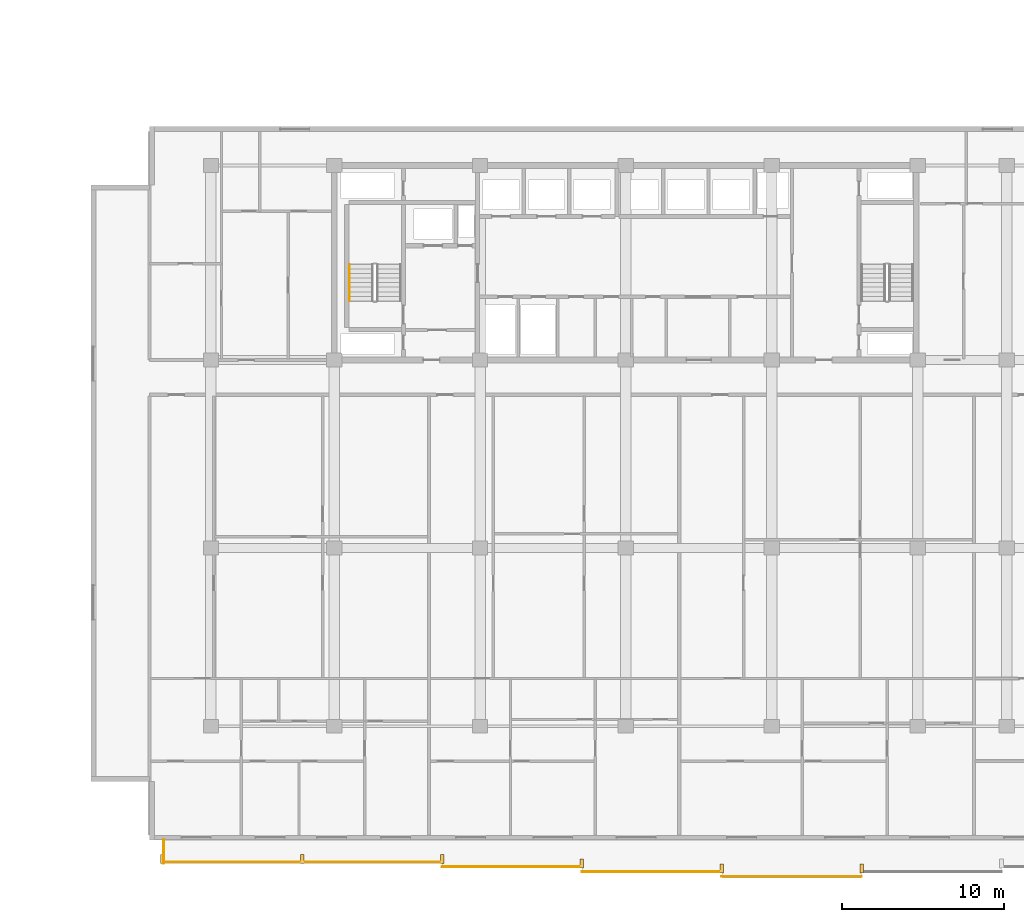
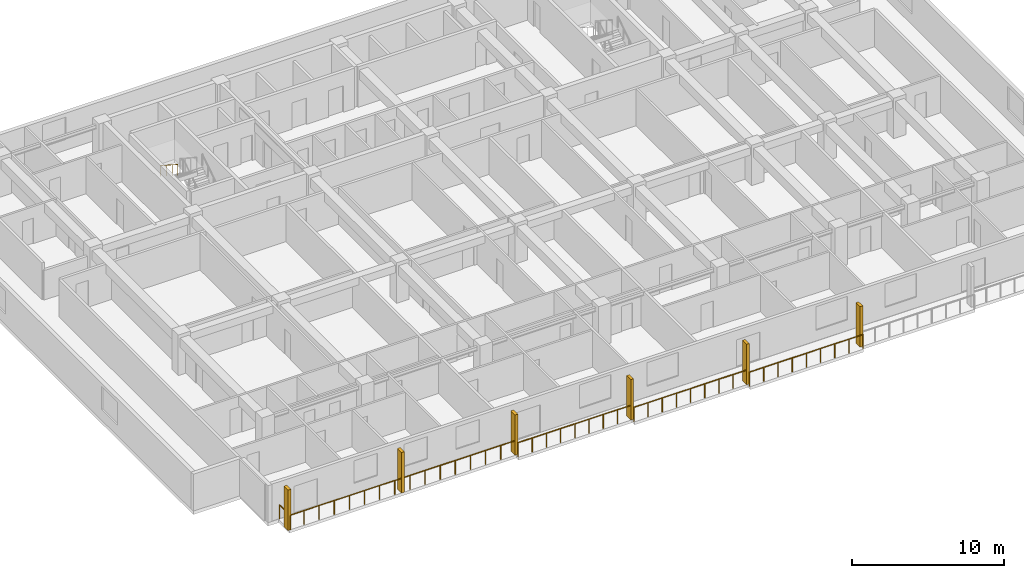
# One storey, part 19 of 23: 6 railings, 6 shading devices.
"""IFC4 building model written with IfcOpenShell, lengths in metres."""

from ifc_helpers import new_model, si_unit, direction, frame, origin, origin_2d, place, context, subcontext, project, spatial, rectangle, circle, extrude, material, type_object, element, save


model = new_model("IFC4")

# Units and contexts
model_context = context("Model", 3, precision=1e-05, world=origin(), true_north=direction((0.0, 1.0)))
body_context = subcontext(model_context, "Body", "Model", "MODEL_VIEW")
ifc_project = project(units=[si_unit("LENGTHUNIT", "METRE"), si_unit("AREAUNIT", "SQUARE_METRE"), si_unit("VOLUMEUNIT", "CUBIC_METRE"), si_unit("PLANEANGLEUNIT", "RADIAN"), si_unit("MASSUNIT", "GRAM", prefix="KILO")], contexts=[model_context])

# Site, building, storey
site_placement = place(None, origin())
site = spatial("IfcSite", under=ifc_project, at=site_placement, CompositionType="ELEMENT")
building_placement = place(site_placement, origin())
building = spatial("IfcBuilding", under=site, at=building_placement, Name="Korimba Cascade Residences", CompositionType="ELEMENT")
storey_placement = place(building_placement, frame((0.0, 0.0, 46.75)))
storey = spatial("IfcBuildingStorey", under=building, at=storey_placement, Name="L12", CompositionType="ELEMENT", Elevation=46.75)

# Railings
ifc_material_1 = material(Name="Laminated Glass and Bronze Balustrade", Category="glass")
railing_type_1 = type_object("IfcRailingType", Name="RLG-LOG-1150", PredefinedType="BALUSTRADE", material=ifc_material_1)
railing_1_placement = place(storey_placement, frame((71.5, -12.570068359375, 0.0)))
element("IfcRailing", 1, at=railing_1_placement, inside=storey, type_object=railing_type_1, Name="L12 Perimeter Guardrail RLG-L12-T2-LOG-01", PredefinedType="BALUSTRADE", context=body_context, shape_type="SweptSolid", body=[
    extrude(circle(Radius=0.02392578125, at=origin_2d()), frame((0.0, 0.0, 1.1259765625), z_axis=(1.0, 0.0, 0.0), x_axis=(0.0, 1.0, 0.0)), (0.0, 0.0, 1.0), 17.257080078125),
    extrude(circle(Radius=0.02099609375, at=origin_2d()), origin(), (0.0, 0.0, 1.0), 1.101806640625),
    extrude(circle(Radius=0.02099609375, at=origin_2d()), frame((1.150390625, 0.0, 0.0)), (0.0, 0.0, 1.0), 1.101806640625),
    extrude(circle(Radius=0.02099609375, at=origin_2d()), frame((2.301025390625, 0.0, 0.0)), (0.0, 0.0, 1.0), 1.101806640625),
    extrude(circle(Radius=0.02099609375, at=origin_2d()), frame((3.451416015625, 0.0, 0.0)), (0.0, 0.0, 1.0), 1.101806640625),
    extrude(circle(Radius=0.02099609375, at=origin_2d()), frame((4.601806640625, 0.0, 0.0)), (0.0, 0.0, 1.0), 1.101806640625),
    extrude(circle(Radius=0.02099609375, at=origin_2d()), frame((5.75244140625, 0.0, 0.0)), (0.0, 0.0, 1.0), 1.101806640625),
    extrude(circle(Radius=0.02099609375, at=origin_2d()), frame((6.90283203125, 0.0, 0.0)), (0.0, 0.0, 1.0), 1.101806640625),
    extrude(circle(Radius=0.02099609375, at=origin_2d()), frame((8.05322265625, 0.0, 0.0)), (0.0, 0.0, 1.0), 1.101806640625),
    extrude(circle(Radius=0.02099609375, at=origin_2d()), frame((9.203857421875, 0.0, 0.0)), (0.0, 0.0, 1.0), 1.101806640625),
    extrude(circle(Radius=0.02099609375, at=origin_2d()), frame((10.354248046875, 0.0, 0.0)), (0.0, 0.0, 1.0), 1.101806640625),
    extrude(circle(Radius=0.02099609375, at=origin_2d()), frame((11.504638671875, 0.0, 0.0)), (0.0, 0.0, 1.0), 1.101806640625),
    extrude(circle(Radius=0.02099609375, at=origin_2d()), frame((12.6552734375, 0.0, 0.0)), (0.0, 0.0, 1.0), 1.101806640625),
    extrude(circle(Radius=0.02099609375, at=origin_2d()), frame((13.8056640625, 0.0, 0.0)), (0.0, 0.0, 1.0), 1.101806640625),
    extrude(circle(Radius=0.02099609375, at=origin_2d()), frame((14.9560546875, 0.0, 0.0)), (0.0, 0.0, 1.0), 1.101806640625),
    extrude(circle(Radius=0.02099609375, at=origin_2d()), frame((16.106689453125, 0.0, 0.0)), (0.0, 0.0, 1.0), 1.101806640625),
    extrude(circle(Radius=0.02099609375, at=origin_2d()), frame((17.257080078125, 0.0, 0.0)), (0.0, 0.0, 1.0), 1.101806640625),
])
for number, where, name in (
    (2, (88.757080078125, -12.8701171875, 0.0), "L12 Perimeter Guardrail RLG-L12-T2-LOG-02"),
    (3, (97.3857421875, -13.169921875, 0.0), "L12 Perimeter Guardrail RLG-L12-T2-LOG-03"),
):
    element("IfcRailing", number, at=place(storey_placement, frame(where)), inside=storey, type_object=railing_type_1, Name=name, PredefinedType="BALUSTRADE", context=body_context, shape_type="SweptSolid", body=[
        extrude(circle(Radius=0.02392578125, at=origin_2d()), frame((0.0, 0.0, 1.1259765625), z_axis=(1.0, 0.0, 0.0), x_axis=(0.0, 1.0, 0.0)), (0.0, 0.0, 1.0), 8.628662109375),
        extrude(circle(Radius=0.02099609375, at=origin_2d()), origin(), (0.0, 0.0, 1.0), 1.101806640625),
        extrude(circle(Radius=0.02099609375, at=origin_2d()), frame((1.07861328125, 0.0, 0.0)), (0.0, 0.0, 1.0), 1.101806640625),
        extrude(circle(Radius=0.02099609375, at=origin_2d()), frame((2.1572265625, 0.0, 0.0)), (0.0, 0.0, 1.0), 1.101806640625),
        extrude(circle(Radius=0.02099609375, at=origin_2d()), frame((3.23583984375, 0.0, 0.0)), (0.0, 0.0, 1.0), 1.101806640625),
        extrude(circle(Radius=0.02099609375, at=origin_2d()), frame((4.314453125, 0.0, 0.0)), (0.0, 0.0, 1.0), 1.101806640625),
        extrude(circle(Radius=0.02099609375, at=origin_2d()), frame((5.392822265625, 0.0, 0.0)), (0.0, 0.0, 1.0), 1.101806640625),
        extrude(circle(Radius=0.02099609375, at=origin_2d()), frame((6.471435546875, 0.0, 0.0)), (0.0, 0.0, 1.0), 1.101806640625),
        extrude(circle(Radius=0.02099609375, at=origin_2d()), frame((7.550048828125, 0.0, 0.0)), (0.0, 0.0, 1.0), 1.101806640625),
        extrude(circle(Radius=0.02099609375, at=origin_2d()), frame((8.628662109375, 0.0, 0.0)), (0.0, 0.0, 1.0), 1.101806640625),
    ])
railing_2_placement = place(storey_placement, frame((106.014404296875, -13.469970703125, 0.0)))
element("IfcRailing", 4, at=railing_2_placement, inside=storey, type_object=railing_type_1, Name="L12 Perimeter Guardrail RLG-L12-T2-LOG-04", PredefinedType="BALUSTRADE", context=body_context, shape_type="SweptSolid", body=[
    extrude(circle(Radius=0.02392578125, at=origin_2d()), frame((0.0, 0.0, 1.1259765625), z_axis=(1.0, 0.0, 0.0), x_axis=(0.0, 1.0, 0.0)), (0.0, 0.0, 1.0), 8.62841796875),
    extrude(circle(Radius=0.02099609375, at=origin_2d()), origin(), (0.0, 0.0, 1.0), 1.101806640625),
    extrude(circle(Radius=0.02099609375, at=origin_2d()), frame((1.07861328125, 0.0, 0.0)), (0.0, 0.0, 1.0), 1.101806640625),
    extrude(circle(Radius=0.02099609375, at=origin_2d()), frame((2.1572265625, 0.0, 0.0)), (0.0, 0.0, 1.0), 1.101806640625),
    extrude(circle(Radius=0.02099609375, at=origin_2d()), frame((3.235595703125, 0.0, 0.0)), (0.0, 0.0, 1.0), 1.101806640625),
    extrude(circle(Radius=0.02099609375, at=origin_2d()), frame((4.314208984375, 0.0, 0.0)), (0.0, 0.0, 1.0), 1.101806640625),
    extrude(circle(Radius=0.02099609375, at=origin_2d()), frame((5.392822265625, 0.0, 0.0)), (0.0, 0.0, 1.0), 1.101806640625),
    extrude(circle(Radius=0.02099609375, at=origin_2d()), frame((6.47119140625, 0.0, 0.0)), (0.0, 0.0, 1.0), 1.101806640625),
    extrude(circle(Radius=0.02099609375, at=origin_2d()), frame((7.5498046875, 0.0, 0.0)), (0.0, 0.0, 1.0), 1.101806640625),
    extrude(circle(Radius=0.02099609375, at=origin_2d()), frame((8.62841796875, 0.0, 0.0)), (0.0, 0.0, 1.0), 1.101806640625),
])
railing_3_placement = place(storey_placement, frame((71.580078125, -11.199951171875, 0.0)))
element("IfcRailing", 5, at=railing_3_placement, inside=storey, type_object=railing_type_1, Name="L12 Perimeter Guardrail RLG-L12-T2-LOG-08", PredefinedType="BALUSTRADE", context=body_context, shape_type="SweptSolid", body=[
    extrude(circle(Radius=0.02392578125, at=origin_2d()), frame((0.0, 0.0, 1.1259765625), z_axis=(0.0, -1.0, 0.0), x_axis=(1.0, 0.0, 0.0)), (0.0, 0.0, 1.0), 1.449951171875),
    extrude(circle(Radius=0.02099609375, at=origin_2d()), origin(), (0.0, 0.0, 1.0), 1.101806640625),
    extrude(circle(Radius=0.02099609375, at=origin_2d()), frame((0.0, -0.72509765625, 0.0)), (0.0, 0.0, 1.0), 1.101806640625),
    extrude(circle(Radius=0.02099609375, at=origin_2d()), frame((0.0, -1.449951171875, 0.0)), (0.0, 0.0, 1.0), 1.101806640625),
])
ifc_material_2 = material(Name="Brushed Stainless Steel Handrail", Category="steel")
railing_type_2 = type_object("IfcRailingType", Name="RLG-ST-HR900", PredefinedType="HANDRAIL", material=ifc_material_2)
railing_4_placement = place(storey_placement, frame((83.050048828125, 24.2900390625, 1.989990234375)))
element("IfcRailing", 6, at=railing_4_placement, inside=storey, type_object=railing_type_2, Name="L12 ST-E1 stair handrail 2", PredefinedType="HANDRAIL", context=body_context, shape_type="SweptSolid", body=[
    extrude(circle(Radius=0.02392578125, at=origin_2d()), frame((0.0, 0.0, 0.8759765625), z_axis=(0.0, -0.840436612492, 0.541909863706), x_axis=(1.0, 0.0, 0.0)), (0.0, 0.0, 1.0), 2.665283203125),
    extrude(circle(Radius=0.02099609375, at=origin_2d()), origin(), (0.0, 0.0, 1.0), 0.851806640625),
    extrude(circle(Radius=0.02099609375, at=origin_2d()), frame((0.0, -0.74658203125, 0.4814453125)), (0.0, 0.0, 1.0), 0.851806640625),
    extrude(circle(Radius=0.02099609375, at=origin_2d()), frame((0.0, -1.493408203125, 0.962890625)), (0.0, 0.0, 1.0), 0.851806640625),
    extrude(circle(Radius=0.02099609375, at=origin_2d()), frame((0.0, -2.239990234375, 1.4443359375)), (0.0, 0.0, 1.0), 0.851806640625),
])

# Shading devices
ifc_material_3 = material(Name="Honed Sandstone Precast Fin", Category="masonry")
shading_device_type = type_object("IfcShadingDeviceType", Name="SHD-FIN-550", PredefinedType="USERDEFINED", material=ifc_material_3)
for number, where, z_axis, x_axis, name in (
    (7, (71.5, -12.375, 0.0), (0.0, 0.0, 1.0), (1.0, 0.0, 0.0), "L12 T2 Warm-Stone Loggia Fin 1"),
    (8, (80.128662109375, -12.375, 0.0), (0.0, 0.0, 1.0), (1.0, 0.0, 0.0), "L12 T2 Warm-Stone Loggia Fin 2"),
    (9, (88.757080078125, -12.375, 0.0), (0.0, 0.0, 1.0), (1.0, 0.0, 0.0), "L12 T2 Warm-Stone Loggia Fin 3"),
    (10, (97.3857421875, -12.675048828125, 0.0), (0.0, 0.0, 1.0), (1.0, 0.0, 0.0), "L12 T2 Warm-Stone Loggia Fin 4"),
    (11, (106.014404296875, -12.97509765625, 0.0), (0.0, 0.0, 1.0), (1.0, 0.0, 0.0), "L12 T2 Warm-Stone Loggia Fin 5"),
    (12, (114.642822265625, -12.97509765625, 0.0), (0.0, 0.0, 1.0), (1.0, 0.0, 0.0), "L12 T2 Warm-Stone Loggia Fin 6"),
):
    element("IfcShadingDevice", number, at=place(storey_placement, frame(where, z_axis=z_axis, x_axis=x_axis)), inside=storey, type_object=shading_device_type, Name=name, ObjectType="FIN", PredefinedType="USERDEFINED", context=body_context, shape_type="SweptSolid", body=[
        extrude(rectangle(XDim=0.219970703125, YDim=0.550048828125, at=origin_2d()), origin(), (0.0, 0.0, 1.0), 3.25),
    ])

save(model, "model.ifc")
